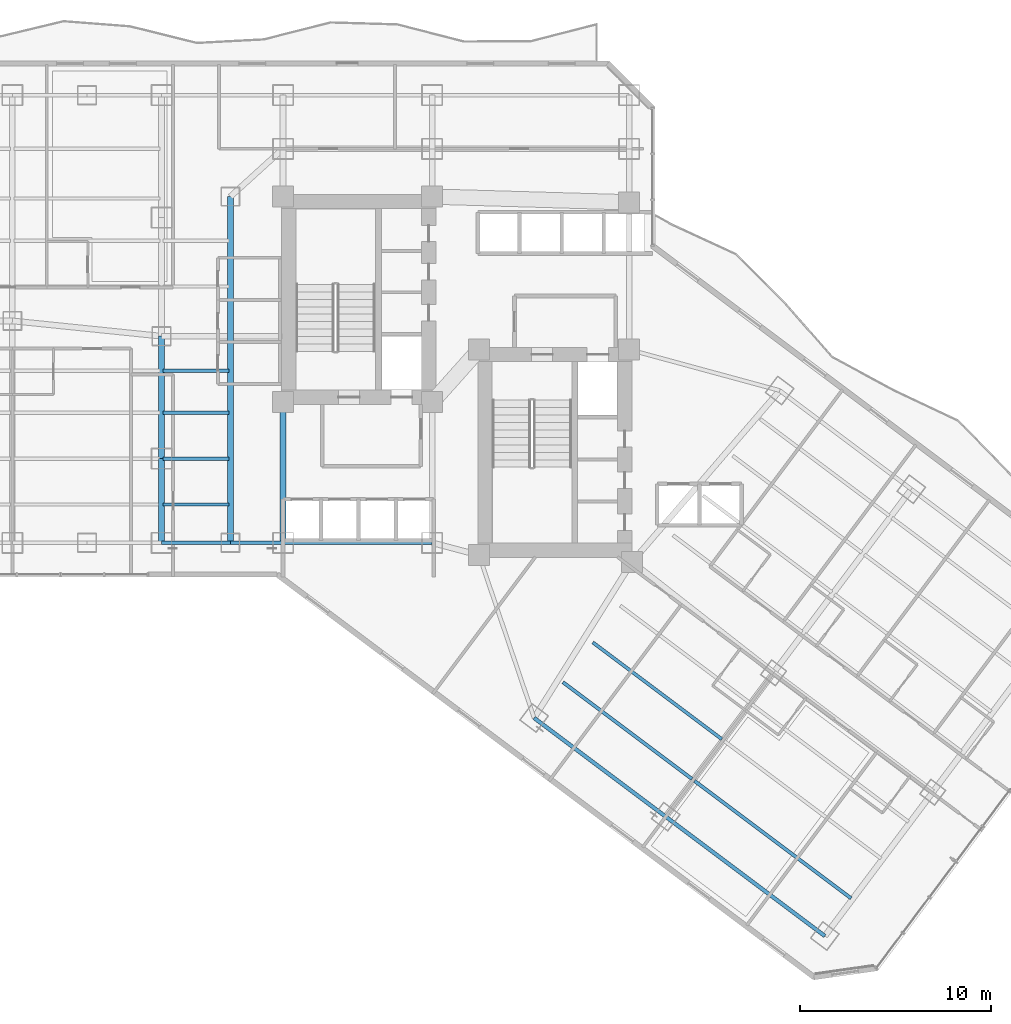
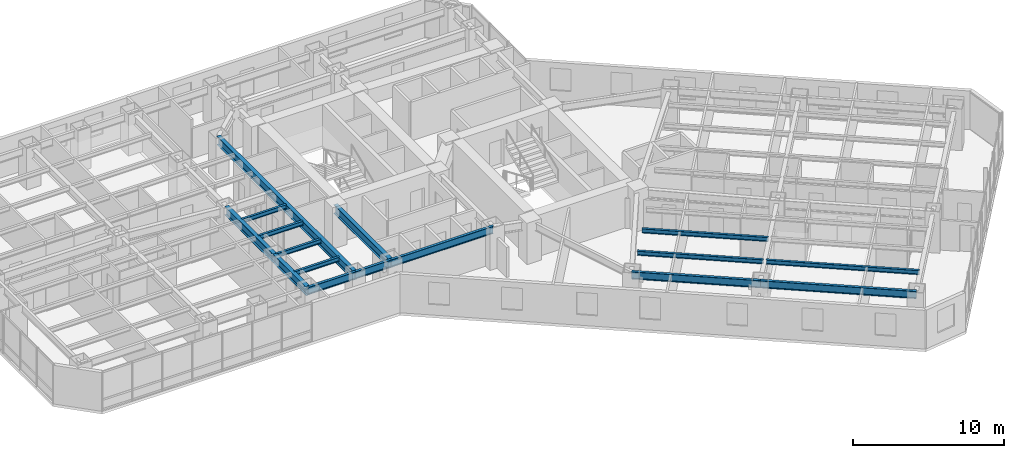
# One storey, part 7 of 37: 16 beams.
"""IFC4 building model written with IfcOpenShell, lengths in metres."""

from ifc_helpers import new_model, si_unit, direction, frame, origin, origin_2d, place, context, subcontext, project, spatial, i_section, extrude, material, material_profile, profile_set, type_object, element, save


model = new_model("IFC4")

# Units and contexts
model_context = context("Model", 3, precision=1e-05, world=origin(), true_north=direction((0.0, 1.0)))
body_context = subcontext(model_context, "Body", "Model", "MODEL_VIEW")
ifc_project = project(units=[si_unit("LENGTHUNIT", "METRE"), si_unit("AREAUNIT", "SQUARE_METRE"), si_unit("VOLUMEUNIT", "CUBIC_METRE"), si_unit("PLANEANGLEUNIT", "RADIAN"), si_unit("MASSUNIT", "GRAM", prefix="KILO")], contexts=[model_context])

# Site, building, storey
site_placement = place(None, origin())
site = spatial("IfcSite", under=ifc_project, at=site_placement, CompositionType="ELEMENT")
building_placement = place(site_placement, origin())
building = spatial("IfcBuilding", under=site, at=building_placement, Name="Hatsunagi Terrace Concourse", CompositionType="ELEMENT")
storey_placement = place(building_placement, frame((0.0, 0.0, 50.0)))
storey = spatial("IfcBuildingStorey", under=building, at=storey_placement, Name="L12", CompositionType="ELEMENT", Elevation=50.0)

# Beams
ifc_material_1 = material(Name="Steel SN490B", Category="steel")
ifc_material_profile_1 = material_profile(ifc_material_1, i_section(OverallWidth=0.300048828125, OverallDepth=0.699951171875, WebThickness=0.012939453125, FlangeThickness=0.02392578125, FilletRadius=0.02197265625, at=origin_2d()), Name="H-700x300x13x24")
ifc_profile_set_1 = profile_set([ifc_material_profile_1], Name="Steel SN490B")
beam_type_1 = type_object("IfcBeamType", Name="HotelFloorGirder_H_700x300", PredefinedType="BEAM", material=ifc_profile_set_1)
beam_1_placement = place(storey_placement, frame((25.550048828125, 25.199951171875, 2.780029296875), z_axis=(0.0, 1.0, 0.0), x_axis=(-1.0, 0.0, 0.0)))
element("IfcBeam", 1, at=beam_1_placement, inside=storey, type_object=beam_type_1, Name="Beam G-04 BM-L12-K1CA", PredefinedType="BEAM", context=body_context, shape_type="SweptSolid", body=[
    extrude(i_section(OverallWidth=0.300048828125, OverallDepth=0.699951171875, WebThickness=0.012939453125, FlangeThickness=0.02392578125, FilletRadius=0.02197265625, at=origin_2d()), origin(), (0.0, 0.0, 1.0), 7.35009765625),
])
beam_2_placement = place(storey_placement, frame((22.800048828125, 25.199951171875, 2.780029296875), z_axis=(0.0, 1.0, 0.0), x_axis=(-1.0, 0.0, 0.0)))
element("IfcBeam", 2, at=beam_2_placement, inside=storey, type_object=beam_type_1, Name="Beam G-04 BM-L12-CWNS", PredefinedType="BEAM", context=body_context, shape_type="SweptSolid", body=[
    extrude(i_section(OverallWidth=0.300048828125, OverallDepth=0.699951171875, WebThickness=0.012939453125, FlangeThickness=0.02392578125, FilletRadius=0.02197265625, at=origin_2d()), origin(), (0.0, 0.0, 1.0), 18.10009765625),
])
beam_3_placement = place(storey_placement, frame((19.199951171875, 25.199951171875, 2.780029296875), z_axis=(0.0, 1.0, 0.0), x_axis=(-1.0, 0.0, 0.0)))
element("IfcBeam", 3, at=beam_3_placement, inside=storey, type_object=beam_type_1, Name="Beam G-04 BM-L12-NS-19-25", PredefinedType="BEAM", context=body_context, shape_type="SweptSolid", body=[
    extrude(i_section(OverallWidth=0.300048828125, OverallDepth=0.699951171875, WebThickness=0.012939453125, FlangeThickness=0.02392578125, FilletRadius=0.02197265625, at=origin_2d()), origin(), (0.0, 0.0, 1.0), 4.400146484375),
])
beam_4_placement = place(storey_placement, frame((19.199951171875, 29.60009765625, 2.780029296875), z_axis=(0.0, 1.0, 0.0), x_axis=(-1.0, 0.0, 0.0)))
element("IfcBeam", 4, at=beam_4_placement, inside=storey, type_object=beam_type_1, Name="Beam G-04 BM-L12-NS-19-29", PredefinedType="BEAM", context=body_context, shape_type="SweptSolid", body=[
    extrude(i_section(OverallWidth=0.300048828125, OverallDepth=0.699951171875, WebThickness=0.012939453125, FlangeThickness=0.02392578125, FilletRadius=0.02197265625, at=origin_2d()), origin(), (0.0, 0.0, 1.0), 6.39990234375),
])
ifc_material_2 = material(Name="Steel SN490B", Category="steel")
ifc_material_profile_2 = material_profile(ifc_material_2, i_section(OverallWidth=0.175048828125, OverallDepth=0.35009765625, WebThickness=0.007080078125, FlangeThickness=0.010986328125, FilletRadius=0.012939453125, at=origin_2d()), Name="H-350x175x7x11")
ifc_profile_set_2 = profile_set([ifc_material_profile_2], Name="Steel SN490B")
beam_type_2 = type_object("IfcBeamType", Name="HotelJoist_H_350x175", PredefinedType="JOIST", material=ifc_profile_set_2)
for number, where, z_axis, x_axis, name in (
    (5, (19.284912109375, 27.199951171875, 2.955078125), (1.0, 0.0, 0.0), (0.0, 1.0, 0.0), "Beam J-02 J-L12-W-19-272"),
    (6, (19.284912109375, 29.60009765625, 2.955078125), (1.0, 0.0, 0.0), (0.0, 1.0, 0.0), "Beam J-02 J-L12-W-19-296"),
    (7, (19.284912109375, 32.0, 2.955078125), (1.0, 0.0, 0.0), (0.0, 1.0, 0.0), "Beam J-02 J-L12-W-19-320"),
    (8, (19.284912109375, 34.199951171875, 2.955078125), (1.0, 0.0, 0.0), (0.0, 1.0, 0.0), "Beam J-02 J-L12-W-19-342"),
):
    element("IfcBeam", number, at=place(storey_placement, frame(where, z_axis=z_axis, x_axis=x_axis)), inside=storey, type_object=beam_type_2, Name=name, PredefinedType="JOIST", context=body_context, shape_type="SweptSolid", body=[
        extrude(i_section(OverallWidth=0.175048828125, OverallDepth=0.35009765625, WebThickness=0.007080078125, FlangeThickness=0.010986328125, FilletRadius=0.012939453125, at=origin_2d()), origin(), (0.0, 0.0, 1.0), 3.43017578125),
    ])
for number, where, z_axis, x_axis, name in (
    (9, (40.18798828125, 17.908935546875, 2.955078125), (0.800003475366, -0.59999536615, 0.0), (0.59999536615, 0.800003475366, 0.0), "Beam J-02 J-L12-SE-2-46"),
    (10, (41.748046875, 19.989013671875, 2.955078125), (0.799989573921, -0.600013901187, 0.0), (0.600013901187, 0.799989573921, 0.0), "Beam J-02 J-L12-SE-2-72"),
):
    element("IfcBeam", number, at=place(storey_placement, frame(where, z_axis=z_axis, x_axis=x_axis)), inside=storey, type_object=beam_type_2, Name=name, PredefinedType="JOIST", context=body_context, shape_type="SweptSolid", body=[
        extrude(i_section(OverallWidth=0.175048828125, OverallDepth=0.35009765625, WebThickness=0.007080078125, FlangeThickness=0.010986328125, FilletRadius=0.012939453125, at=origin_2d()), origin(), (0.0, 0.0, 1.0), 8.429931640625),
    ])
beam_5_placement = place(storey_placement, frame((47.068115234375, 12.7490234375, 2.955078125), z_axis=(0.799997136125, -0.600003818481, 0.0), x_axis=(0.600003818481, 0.799997136125, 0.0)))
element("IfcBeam", 11, at=beam_5_placement, inside=storey, type_object=beam_type_2, Name="Beam J-02 J-L12-SE-3-46", PredefinedType="JOIST", context=body_context, shape_type="SweptSolid", body=[
    extrude(i_section(OverallWidth=0.175048828125, OverallDepth=0.35009765625, WebThickness=0.007080078125, FlangeThickness=0.010986328125, FilletRadius=0.012939453125, at=origin_2d()), origin(), (0.0, 0.0, 1.0), 10.229736328125),
])
ifc_material_3 = material(Name="Steel SN490B", Category="steel")
ifc_material_profile_3 = material_profile(ifc_material_3, i_section(OverallWidth=0.199951171875, OverallDepth=0.60009765625, WebThickness=0.010986328125, FlangeThickness=0.01708984375, FilletRadius=0.01806640625, at=origin_2d()), Name="H-600x200x11x17")
ifc_profile_set_3 = profile_set([ifc_material_profile_3], Name="Steel SN490B")
beam_type_3 = type_object("IfcBeamType", Name="PerimeterSpandrel_H_600x200", PredefinedType="SPANDREL", material=ifc_profile_set_3)
beam_6_placement = place(storey_placement, frame((19.199951171875, 25.199951171875, 2.830078125), z_axis=(1.0, 0.0, 0.0), x_axis=(0.0, 1.0, 0.0)))
element("IfcBeam", 12, at=beam_6_placement, inside=storey, type_object=beam_type_3, Name="Beam SP-01 BM-L12-WS-19", PredefinedType="SPANDREL", context=body_context, shape_type="SweptSolid", body=[
    extrude(i_section(OverallWidth=0.199951171875, OverallDepth=0.60009765625, WebThickness=0.010986328125, FlangeThickness=0.01708984375, FilletRadius=0.01806640625, at=origin_2d()), origin(), (0.0, 0.0, 1.0), 3.60009765625),
])
beam_7_placement = place(storey_placement, frame((22.800048828125, 25.199951171875, 2.830078125), z_axis=(1.0, 0.0, 0.0), x_axis=(0.0, 1.0, 0.0)))
element("IfcBeam", 13, at=beam_7_placement, inside=storey, type_object=beam_type_3, Name="Beam SP-01 BM-L12-WS-22", PredefinedType="SPANDREL", context=body_context, shape_type="SweptSolid", body=[
    extrude(i_section(OverallWidth=0.199951171875, OverallDepth=0.60009765625, WebThickness=0.010986328125, FlangeThickness=0.01708984375, FilletRadius=0.01806640625, at=origin_2d()), origin(), (0.0, 0.0, 1.0), 2.75),
])
beam_8_placement = place(storey_placement, frame((25.550048828125, 25.199951171875, 2.830078125), z_axis=(1.0, 0.0, 0.0), x_axis=(0.0, 1.0, 0.0)))
element("IfcBeam", 14, at=beam_8_placement, inside=storey, type_object=beam_type_3, Name="Beam SP-01 BM-L12-WS-25", PredefinedType="SPANDREL", context=body_context, shape_type="SweptSolid", body=[
    extrude(i_section(OverallWidth=0.199951171875, OverallDepth=0.60009765625, WebThickness=0.010986328125, FlangeThickness=0.01708984375, FilletRadius=0.01806640625, at=origin_2d()), origin(), (0.0, 0.0, 1.0), 7.800048828125),
])
beam_9_placement = place(storey_placement, frame((38.679931640625, 16.0400390625, 2.830078125), z_axis=(0.799996593451, -0.600004542038, 0.0), x_axis=(0.600004542038, 0.799996593451, 0.0)))
element("IfcBeam", 15, at=beam_9_placement, inside=storey, type_object=beam_type_3, Name="Beam SP-01 BM-L12-SE-SW2", PredefinedType="SPANDREL", context=body_context, shape_type="SweptSolid", body=[
    extrude(i_section(OverallWidth=0.199951171875, OverallDepth=0.60009765625, WebThickness=0.010986328125, FlangeThickness=0.01708984375, FilletRadius=0.01806640625, at=origin_2d()), origin(), (0.0, 0.0, 1.0), 8.60009765625),
])
beam_10_placement = place(storey_placement, frame((45.56005859375, 10.8798828125, 2.830078125), z_axis=(0.799994365871, -0.600007512099, 0.0), x_axis=(0.600007512099, 0.799994365871, 0.0)))
element("IfcBeam", 16, at=beam_10_placement, inside=storey, type_object=beam_type_3, Name="Beam SP-01 BM-L12-SE-SW3", PredefinedType="SPANDREL", context=body_context, shape_type="SweptSolid", body=[
    extrude(i_section(OverallWidth=0.199951171875, OverallDepth=0.60009765625, WebThickness=0.010986328125, FlangeThickness=0.01708984375, FilletRadius=0.01806640625, at=origin_2d()), origin(), (0.0, 0.0, 1.0), 10.39990234375),
])

save(model, "model.ifc")
